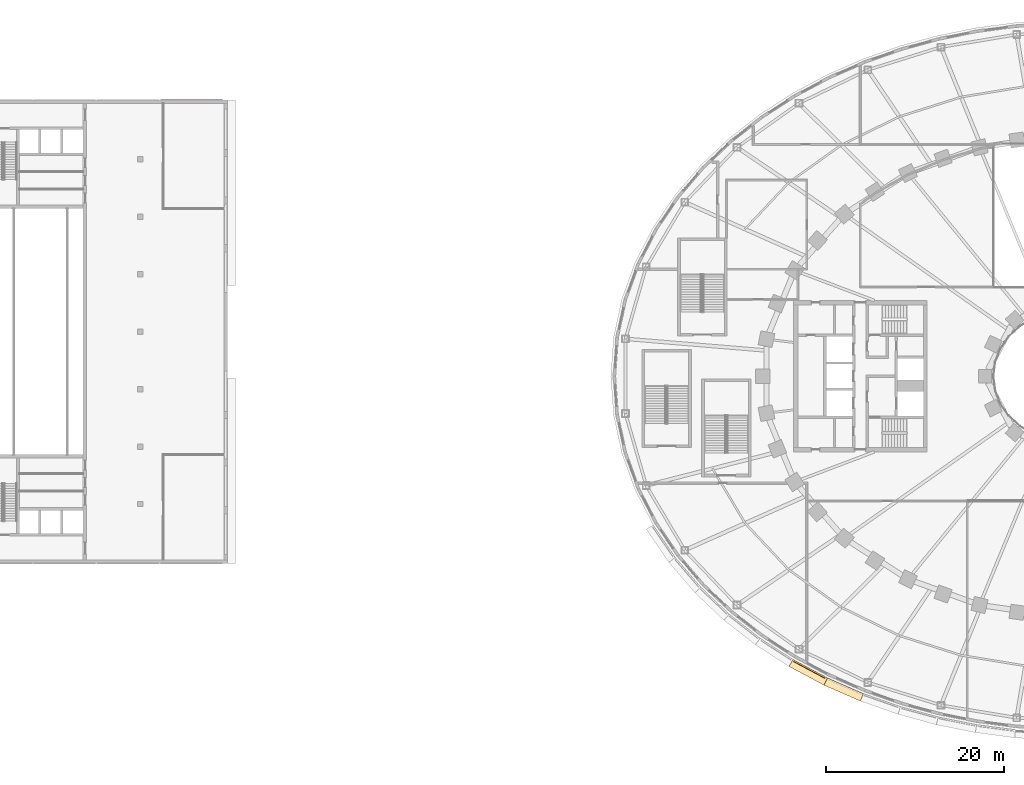
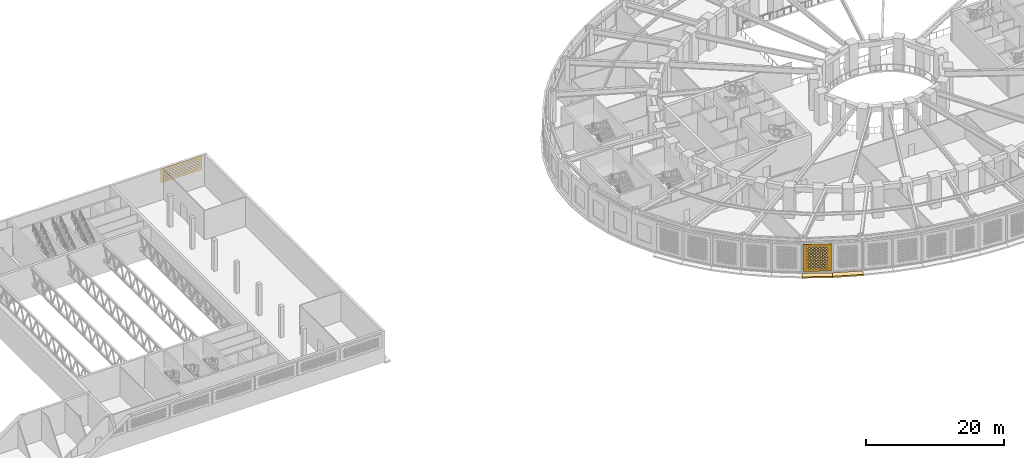
# One storey, part 45 of 69: 4 coverings.
"""IFC4 building model written with IfcOpenShell, lengths in metres."""

from ifc_helpers import new_model, si_unit, direction, frame, origin, place, context, subcontext, project, spatial, polyline, outline, extrude, material, layer, layer_set, type_object, element, save


model = new_model("IFC4")

# Units and contexts
model_context = context("Model", 3, precision=1e-05, world=origin(), true_north=direction((0.0, 1.0)))
body_context = subcontext(model_context, "Body", "Model", "MODEL_VIEW")
ifc_project = project(units=[si_unit("LENGTHUNIT", "METRE"), si_unit("AREAUNIT", "SQUARE_METRE"), si_unit("VOLUMEUNIT", "CUBIC_METRE"), si_unit("PLANEANGLEUNIT", "RADIAN"), si_unit("MASSUNIT", "GRAM", prefix="KILO")], contexts=[model_context])

# Site, building, storey
site_placement = place(None, origin())
site = spatial("IfcSite", under=ifc_project, at=site_placement, CompositionType="ELEMENT")
building_placement = place(site_placement, origin())
building = spatial("IfcBuilding", under=site, at=building_placement, Name="Noorbagh Ring Tower", CompositionType="ELEMENT")
storey_placement = place(building_placement, frame((0.0, 0.0, 19.5)))
storey = spatial("IfcBuildingStorey", under=building, at=storey_placement, Name="L03", CompositionType="ELEMENT", Elevation=19.5)

# Coverings
ifc_material_1 = material(Name="Red sandstone jali", Category="masonry")
ifc_layer_1 = layer(ifc_material_1, 0.0400390625)
ifc_layer_set_1 = layer_set([ifc_layer_1], Name="Red sandstone jali")
covering_type_1 = type_object("IfcCoveringType", Name="STH-BAND", PredefinedType="USERDEFINED", material=ifc_layer_set_1)
covering_1_placement = place(storey_placement, frame((-95.60009765625, 31.0400390625, 2.699951171875), z_axis=(0.0, 1.0, 0.0), x_axis=(-1.0, 0.0, 0.0)))
element("IfcCovering", 1, at=covering_1_placement, inside=storey, type_object=covering_type_1, Name="Jali band", ObjectType="JALI SCREEN", PredefinedType="USERDEFINED", context=body_context, shape_type="SweptSolid", body=[
    extrude(outline(polyline([(0.0, 0.0), (6.910888671875, 0.0), (6.910888671875, 2.5), (0.0, 2.5), (0.0, 0.0)]), holes=[polyline([(0.650634765625, 0.5), (0.83056640625, 0.320068359375), (1.010498046875, 0.5), (0.83056640625, 0.679931640625), (0.650634765625, 0.5)]), polyline([(1.150634765625, 0.5), (1.33056640625, 0.320068359375), (1.510498046875, 0.5), (1.33056640625, 0.679931640625), (1.150634765625, 0.5)]), polyline([(1.650634765625, 0.5), (1.83056640625, 0.320068359375), (2.010498046875, 0.5), (1.83056640625, 0.679931640625), (1.650634765625, 0.5)]), polyline([(2.150634765625, 0.5), (2.33056640625, 0.320068359375), (2.510498046875, 0.5), (2.33056640625, 0.679931640625), (2.150634765625, 0.5)]), polyline([(2.650634765625, 0.5), (2.83056640625, 0.320068359375), (3.010498046875, 0.5), (2.83056640625, 0.679931640625), (2.650634765625, 0.5)]), polyline([(3.150634765625, 0.5), (3.33056640625, 0.320068359375), (3.510498046875, 0.5), (3.33056640625, 0.679931640625), (3.150634765625, 0.5)]), polyline([(3.650634765625, 0.5), (3.83056640625, 0.320068359375), (4.010498046875, 0.5), (3.83056640625, 0.679931640625), (3.650634765625, 0.5)]), polyline([(4.150634765625, 0.5), (4.33056640625, 0.320068359375), (4.510498046875, 0.5), (4.33056640625, 0.679931640625), (4.150634765625, 0.5)]), polyline([(4.650634765625, 0.5), (4.83056640625, 0.320068359375), (5.010498046875, 0.5), (4.83056640625, 0.679931640625), (4.650634765625, 0.5)]), polyline([(5.150634765625, 0.5), (5.33056640625, 0.320068359375), (5.510498046875, 0.5), (5.33056640625, 0.679931640625), (5.150634765625, 0.5)]), polyline([(5.650634765625, 0.5), (5.83056640625, 0.320068359375), (6.010498046875, 0.5), (5.83056640625, 0.679931640625), (5.650634765625, 0.5)]), polyline([(6.150634765625, 0.5), (6.33056640625, 0.320068359375), (6.510498046875, 0.5), (6.33056640625, 0.679931640625), (6.150634765625, 0.5)]), polyline([(0.400634765625, 0.75), (0.58056640625, 0.570068359375), (0.760498046875, 0.75), (0.58056640625, 0.929931640625), (0.400634765625, 0.75)]), polyline([(0.900634765625, 0.75), (1.08056640625, 0.570068359375), (1.260498046875, 0.75), (1.08056640625, 0.929931640625), (0.900634765625, 0.75)]), polyline([(1.400634765625, 0.75), (1.58056640625, 0.570068359375), (1.760498046875, 0.75), (1.58056640625, 0.929931640625), (1.400634765625, 0.75)]), polyline([(1.900634765625, 0.75), (2.08056640625, 0.570068359375), (2.260498046875, 0.75), (2.08056640625, 0.929931640625), (1.900634765625, 0.75)]), polyline([(2.400634765625, 0.75), (2.58056640625, 0.570068359375), (2.760498046875, 0.75), (2.58056640625, 0.929931640625), (2.400634765625, 0.75)]), polyline([(2.900634765625, 0.75), (3.08056640625, 0.570068359375), (3.260498046875, 0.75), (3.08056640625, 0.929931640625), (2.900634765625, 0.75)]), polyline([(3.400634765625, 0.75), (3.58056640625, 0.570068359375), (3.760498046875, 0.75), (3.58056640625, 0.929931640625), (3.400634765625, 0.75)]), polyline([(3.900634765625, 0.75), (4.08056640625, 0.570068359375), (4.260498046875, 0.75), (4.08056640625, 0.929931640625), (3.900634765625, 0.75)]), polyline([(4.400634765625, 0.75), (4.58056640625, 0.570068359375), (4.760498046875, 0.75), (4.58056640625, 0.929931640625), (4.400634765625, 0.75)]), polyline([(4.900634765625, 0.75), (5.08056640625, 0.570068359375), (5.260498046875, 0.75), (5.08056640625, 0.929931640625), (4.900634765625, 0.75)]), polyline([(5.400634765625, 0.75), (5.58056640625, 0.570068359375), (5.760498046875, 0.75), (5.58056640625, 0.929931640625), (5.400634765625, 0.75)]), polyline([(5.900634765625, 0.75), (6.08056640625, 0.570068359375), (6.260498046875, 0.75), (6.08056640625, 0.929931640625), (5.900634765625, 0.75)]), polyline([(0.650634765625, 1.0), (0.83056640625, 0.820068359375), (1.010498046875, 1.0), (0.83056640625, 1.179931640625), (0.650634765625, 1.0)]), polyline([(1.150634765625, 1.0), (1.33056640625, 0.820068359375), (1.510498046875, 1.0), (1.33056640625, 1.179931640625), (1.150634765625, 1.0)]), polyline([(1.650634765625, 1.0), (1.83056640625, 0.820068359375), (2.010498046875, 1.0), (1.83056640625, 1.179931640625), (1.650634765625, 1.0)]), polyline([(2.150634765625, 1.0), (2.33056640625, 0.820068359375), (2.510498046875, 1.0), (2.33056640625, 1.179931640625), (2.150634765625, 1.0)]), polyline([(2.650634765625, 1.0), (2.83056640625, 0.820068359375), (3.010498046875, 1.0), (2.83056640625, 1.179931640625), (2.650634765625, 1.0)]), polyline([(3.150634765625, 1.0), (3.33056640625, 0.820068359375), (3.510498046875, 1.0), (3.33056640625, 1.179931640625), (3.150634765625, 1.0)]), polyline([(3.650634765625, 1.0), (3.83056640625, 0.820068359375), (4.010498046875, 1.0), (3.83056640625, 1.179931640625), (3.650634765625, 1.0)]), polyline([(4.150634765625, 1.0), (4.33056640625, 0.820068359375), (4.510498046875, 1.0), (4.33056640625, 1.179931640625), (4.150634765625, 1.0)]), polyline([(4.650634765625, 1.0), (4.83056640625, 0.820068359375), (5.010498046875, 1.0), (4.83056640625, 1.179931640625), (4.650634765625, 1.0)]), polyline([(5.150634765625, 1.0), (5.33056640625, 0.820068359375), (5.510498046875, 1.0), (5.33056640625, 1.179931640625), (5.150634765625, 1.0)]), polyline([(5.650634765625, 1.0), (5.83056640625, 0.820068359375), (6.010498046875, 1.0), (5.83056640625, 1.179931640625), (5.650634765625, 1.0)]), polyline([(6.150634765625, 1.0), (6.33056640625, 0.820068359375), (6.510498046875, 1.0), (6.33056640625, 1.179931640625), (6.150634765625, 1.0)]), polyline([(0.400634765625, 1.25), (0.58056640625, 1.070068359375), (0.760498046875, 1.25), (0.58056640625, 1.429931640625), (0.400634765625, 1.25)]), polyline([(0.900634765625, 1.25), (1.08056640625, 1.070068359375), (1.260498046875, 1.25), (1.08056640625, 1.429931640625), (0.900634765625, 1.25)]), polyline([(1.400634765625, 1.25), (1.58056640625, 1.070068359375), (1.760498046875, 1.25), (1.58056640625, 1.429931640625), (1.400634765625, 1.25)]), polyline([(1.900634765625, 1.25), (2.08056640625, 1.070068359375), (2.260498046875, 1.25), (2.08056640625, 1.429931640625), (1.900634765625, 1.25)]), polyline([(2.400634765625, 1.25), (2.58056640625, 1.070068359375), (2.760498046875, 1.25), (2.58056640625, 1.429931640625), (2.400634765625, 1.25)]), polyline([(2.900634765625, 1.25), (3.08056640625, 1.070068359375), (3.260498046875, 1.25), (3.08056640625, 1.429931640625), (2.900634765625, 1.25)]), polyline([(3.400634765625, 1.25), (3.58056640625, 1.070068359375), (3.760498046875, 1.25), (3.58056640625, 1.429931640625), (3.400634765625, 1.25)]), polyline([(3.900634765625, 1.25), (4.08056640625, 1.070068359375), (4.260498046875, 1.25), (4.08056640625, 1.429931640625), (3.900634765625, 1.25)]), polyline([(4.400634765625, 1.25), (4.58056640625, 1.070068359375), (4.760498046875, 1.25), (4.58056640625, 1.429931640625), (4.400634765625, 1.25)]), polyline([(4.900634765625, 1.25), (5.08056640625, 1.070068359375), (5.260498046875, 1.25), (5.08056640625, 1.429931640625), (4.900634765625, 1.25)]), polyline([(5.400634765625, 1.25), (5.58056640625, 1.070068359375), (5.760498046875, 1.25), (5.58056640625, 1.429931640625), (5.400634765625, 1.25)]), polyline([(5.900634765625, 1.25), (6.08056640625, 1.070068359375), (6.260498046875, 1.25), (6.08056640625, 1.429931640625), (5.900634765625, 1.25)]), polyline([(0.650634765625, 1.5), (0.83056640625, 1.320068359375), (1.010498046875, 1.5), (0.83056640625, 1.679931640625), (0.650634765625, 1.5)]), polyline([(1.150634765625, 1.5), (1.33056640625, 1.320068359375), (1.510498046875, 1.5), (1.33056640625, 1.679931640625), (1.150634765625, 1.5)]), polyline([(1.650634765625, 1.5), (1.83056640625, 1.320068359375), (2.010498046875, 1.5), (1.83056640625, 1.679931640625), (1.650634765625, 1.5)]), polyline([(2.150634765625, 1.5), (2.33056640625, 1.320068359375), (2.510498046875, 1.5), (2.33056640625, 1.679931640625), (2.150634765625, 1.5)]), polyline([(2.650634765625, 1.5), (2.83056640625, 1.320068359375), (3.010498046875, 1.5), (2.83056640625, 1.679931640625), (2.650634765625, 1.5)]), polyline([(3.150634765625, 1.5), (3.33056640625, 1.320068359375), (3.510498046875, 1.5), (3.33056640625, 1.679931640625), (3.150634765625, 1.5)]), polyline([(3.650634765625, 1.5), (3.83056640625, 1.320068359375), (4.010498046875, 1.5), (3.83056640625, 1.679931640625), (3.650634765625, 1.5)]), polyline([(4.150634765625, 1.5), (4.33056640625, 1.320068359375), (4.510498046875, 1.5), (4.33056640625, 1.679931640625), (4.150634765625, 1.5)]), polyline([(4.650634765625, 1.5), (4.83056640625, 1.320068359375), (5.010498046875, 1.5), (4.83056640625, 1.679931640625), (4.650634765625, 1.5)]), polyline([(5.150634765625, 1.5), (5.33056640625, 1.320068359375), (5.510498046875, 1.5), (5.33056640625, 1.679931640625), (5.150634765625, 1.5)]), polyline([(5.650634765625, 1.5), (5.83056640625, 1.320068359375), (6.010498046875, 1.5), (5.83056640625, 1.679931640625), (5.650634765625, 1.5)]), polyline([(6.150634765625, 1.5), (6.33056640625, 1.320068359375), (6.510498046875, 1.5), (6.33056640625, 1.679931640625), (6.150634765625, 1.5)]), polyline([(0.400634765625, 1.75), (0.58056640625, 1.570068359375), (0.760498046875, 1.75), (0.58056640625, 1.929931640625), (0.400634765625, 1.75)]), polyline([(0.900634765625, 1.75), (1.08056640625, 1.570068359375), (1.260498046875, 1.75), (1.08056640625, 1.929931640625), (0.900634765625, 1.75)]), polyline([(1.400634765625, 1.75), (1.58056640625, 1.570068359375), (1.760498046875, 1.75), (1.58056640625, 1.929931640625), (1.400634765625, 1.75)]), polyline([(1.900634765625, 1.75), (2.08056640625, 1.570068359375), (2.260498046875, 1.75), (2.08056640625, 1.929931640625), (1.900634765625, 1.75)]), polyline([(2.400634765625, 1.75), (2.58056640625, 1.570068359375), (2.760498046875, 1.75), (2.58056640625, 1.929931640625), (2.400634765625, 1.75)]), polyline([(2.900634765625, 1.75), (3.08056640625, 1.570068359375), (3.260498046875, 1.75), (3.08056640625, 1.929931640625), (2.900634765625, 1.75)]), polyline([(3.400634765625, 1.75), (3.58056640625, 1.570068359375), (3.760498046875, 1.75), (3.58056640625, 1.929931640625), (3.400634765625, 1.75)]), polyline([(3.900634765625, 1.75), (4.08056640625, 1.570068359375), (4.260498046875, 1.75), (4.08056640625, 1.929931640625), (3.900634765625, 1.75)]), polyline([(4.400634765625, 1.75), (4.58056640625, 1.570068359375), (4.760498046875, 1.75), (4.58056640625, 1.929931640625), (4.400634765625, 1.75)]), polyline([(4.900634765625, 1.75), (5.08056640625, 1.570068359375), (5.260498046875, 1.75), (5.08056640625, 1.929931640625), (4.900634765625, 1.75)]), polyline([(5.400634765625, 1.75), (5.58056640625, 1.570068359375), (5.760498046875, 1.75), (5.58056640625, 1.929931640625), (5.400634765625, 1.75)]), polyline([(5.900634765625, 1.75), (6.08056640625, 1.570068359375), (6.260498046875, 1.75), (6.08056640625, 1.929931640625), (5.900634765625, 1.75)]), polyline([(0.650634765625, 2.0), (0.83056640625, 1.820068359375), (1.010498046875, 2.0), (0.83056640625, 2.179931640625), (0.650634765625, 2.0)]), polyline([(1.150634765625, 2.0), (1.33056640625, 1.820068359375), (1.510498046875, 2.0), (1.33056640625, 2.179931640625), (1.150634765625, 2.0)]), polyline([(1.650634765625, 2.0), (1.83056640625, 1.820068359375), (2.010498046875, 2.0), (1.83056640625, 2.179931640625), (1.650634765625, 2.0)]), polyline([(2.150634765625, 2.0), (2.33056640625, 1.820068359375), (2.510498046875, 2.0), (2.33056640625, 2.179931640625), (2.150634765625, 2.0)]), polyline([(2.650634765625, 2.0), (2.83056640625, 1.820068359375), (3.010498046875, 2.0), (2.83056640625, 2.179931640625), (2.650634765625, 2.0)]), polyline([(3.150634765625, 2.0), (3.33056640625, 1.820068359375), (3.510498046875, 2.0), (3.33056640625, 2.179931640625), (3.150634765625, 2.0)]), polyline([(3.650634765625, 2.0), (3.83056640625, 1.820068359375), (4.010498046875, 2.0), (3.83056640625, 2.179931640625), (3.650634765625, 2.0)]), polyline([(4.150634765625, 2.0), (4.33056640625, 1.820068359375), (4.510498046875, 2.0), (4.33056640625, 2.179931640625), (4.150634765625, 2.0)]), polyline([(4.650634765625, 2.0), (4.83056640625, 1.820068359375), (5.010498046875, 2.0), (4.83056640625, 2.179931640625), (4.650634765625, 2.0)]), polyline([(5.150634765625, 2.0), (5.33056640625, 1.820068359375), (5.510498046875, 2.0), (5.33056640625, 2.179931640625), (5.150634765625, 2.0)]), polyline([(5.650634765625, 2.0), (5.83056640625, 1.820068359375), (6.010498046875, 2.0), (5.83056640625, 2.179931640625), (5.650634765625, 2.0)]), polyline([(6.150634765625, 2.0), (6.33056640625, 1.820068359375), (6.510498046875, 2.0), (6.33056640625, 2.179931640625), (6.150634765625, 2.0)])]), origin(), (0.0, 0.0, -1.0), 0.0400390625),
])
ifc_material_2 = material(Name="Red sandstone eave", Category="masonry")
covering_type_2 = type_object("IfcCoveringType", Name="STY-CHHAJJA", PredefinedType="USERDEFINED", material=ifc_material_2)
covering_2_placement = place(storey_placement, frame((0.0, 0.0, -0.25)))
element("IfcCovering", 2, at=covering_2_placement, inside=storey, type_object=covering_type_2, Name="Chhajja eave", ObjectType="CHHAJJA", PredefinedType="USERDEFINED", context=body_context, shape_type="SweptSolid", body=[
    extrude(outline(polyline([(-31.5546875, -31.793701171875), (-27.67578125, -33.864013671875), (-28.068603515625, -34.674560546875), (-32.011474609375, -32.56982421875), (-31.5546875, -31.793701171875)])), origin(), (0.0, 0.0, 1.0), 0.25),
])
covering_3_placement = place(storey_placement, frame((0.0, 0.0, -0.25)))
element("IfcCovering", 3, at=covering_3_placement, inside=storey, type_object=covering_type_2, Name="Chhajja eave", ObjectType="CHHAJJA", PredefinedType="USERDEFINED", context=body_context, shape_type="SweptSolid", body=[
    extrude(outline(polyline([(-27.67578125, -33.864013671875), (-23.647216796875, -35.624755859375), (-23.976806640625, -36.462890625), (-28.068603515625, -34.674560546875), (-27.67578125, -33.864013671875)])), origin(), (0.0, 0.0, 1.0), 0.25),
])
ifc_material_3 = material(Name="Red sandstone jali", Category="masonry")
ifc_layer_2 = layer(ifc_material_3, 0.0400390625)
ifc_layer_set_2 = layer_set([ifc_layer_2], Name="Red sandstone jali")
covering_type_3 = type_object("IfcCoveringType", Name="STY-JALI", PredefinedType="USERDEFINED", material=ifc_layer_set_2)
covering_4_placement = place(storey_placement, frame((-31.51171875, -32.031982421875, 0.449951171875), z_axis=(-0.470869695201, -0.882202771556, 0.0), x_axis=(0.882202771556, -0.470869695201, 0.0)))
element("IfcCovering", 4, at=covering_4_placement, inside=storey, type_object=covering_type_3, Name="Jali screen", ObjectType="SCREEN", PredefinedType="USERDEFINED", context=body_context, shape_type="SweptSolid", body=[
    extrude(outline(polyline([(0.0, 0.0), (4.0966796875, 0.0), (4.0966796875, 4.800048828125), (0.0, 4.800048828125), (0.0, 0.0)]), holes=[polyline([(0.743408203125, 0.52490234375), (0.92333984375, 0.344970703125), (1.103271484375, 0.52490234375), (0.92333984375, 0.705078125), (0.743408203125, 0.52490234375)]), polyline([(1.243408203125, 0.52490234375), (1.42333984375, 0.344970703125), (1.603271484375, 0.52490234375), (1.42333984375, 0.705078125), (1.243408203125, 0.52490234375)]), polyline([(1.743408203125, 0.52490234375), (1.92333984375, 0.344970703125), (2.103271484375, 0.52490234375), (1.92333984375, 0.705078125), (1.743408203125, 0.52490234375)]), polyline([(2.243408203125, 0.52490234375), (2.42333984375, 0.344970703125), (2.603271484375, 0.52490234375), (2.42333984375, 0.705078125), (2.243408203125, 0.52490234375)]), polyline([(2.743408203125, 0.52490234375), (2.92333984375, 0.344970703125), (3.103271484375, 0.52490234375), (2.92333984375, 0.705078125), (2.743408203125, 0.52490234375)]), polyline([(3.243408203125, 0.52490234375), (3.42333984375, 0.344970703125), (3.603271484375, 0.52490234375), (3.42333984375, 0.705078125), (3.243408203125, 0.52490234375)]), polyline([(0.493408203125, 0.77490234375), (0.67333984375, 0.594970703125), (0.853271484375, 0.77490234375), (0.67333984375, 0.955078125), (0.493408203125, 0.77490234375)]), polyline([(0.993408203125, 0.77490234375), (1.17333984375, 0.594970703125), (1.353271484375, 0.77490234375), (1.17333984375, 0.955078125), (0.993408203125, 0.77490234375)]), polyline([(1.493408203125, 0.77490234375), (1.67333984375, 0.594970703125), (1.853271484375, 0.77490234375), (1.67333984375, 0.955078125), (1.493408203125, 0.77490234375)]), polyline([(1.993408203125, 0.77490234375), (2.17333984375, 0.594970703125), (2.353271484375, 0.77490234375), (2.17333984375, 0.955078125), (1.993408203125, 0.77490234375)]), polyline([(2.493408203125, 0.77490234375), (2.67333984375, 0.594970703125), (2.853271484375, 0.77490234375), (2.67333984375, 0.955078125), (2.493408203125, 0.77490234375)]), polyline([(2.993408203125, 0.77490234375), (3.17333984375, 0.594970703125), (3.353271484375, 0.77490234375), (3.17333984375, 0.955078125), (2.993408203125, 0.77490234375)]), polyline([(0.743408203125, 1.02490234375), (0.92333984375, 0.844970703125), (1.103271484375, 1.02490234375), (0.92333984375, 1.205078125), (0.743408203125, 1.02490234375)]), polyline([(1.243408203125, 1.02490234375), (1.42333984375, 0.844970703125), (1.603271484375, 1.02490234375), (1.42333984375, 1.205078125), (1.243408203125, 1.02490234375)]), polyline([(1.743408203125, 1.02490234375), (1.92333984375, 0.844970703125), (2.103271484375, 1.02490234375), (1.92333984375, 1.205078125), (1.743408203125, 1.02490234375)]), polyline([(2.243408203125, 1.02490234375), (2.42333984375, 0.844970703125), (2.603271484375, 1.02490234375), (2.42333984375, 1.205078125), (2.243408203125, 1.02490234375)]), polyline([(2.743408203125, 1.02490234375), (2.92333984375, 0.844970703125), (3.103271484375, 1.02490234375), (2.92333984375, 1.205078125), (2.743408203125, 1.02490234375)]), polyline([(3.243408203125, 1.02490234375), (3.42333984375, 0.844970703125), (3.603271484375, 1.02490234375), (3.42333984375, 1.205078125), (3.243408203125, 1.02490234375)]), polyline([(0.493408203125, 1.27490234375), (0.67333984375, 1.094970703125), (0.853271484375, 1.27490234375), (0.67333984375, 1.455078125), (0.493408203125, 1.27490234375)]), polyline([(0.993408203125, 1.27490234375), (1.17333984375, 1.094970703125), (1.353271484375, 1.27490234375), (1.17333984375, 1.455078125), (0.993408203125, 1.27490234375)]), polyline([(1.493408203125, 1.27490234375), (1.67333984375, 1.094970703125), (1.853271484375, 1.27490234375), (1.67333984375, 1.455078125), (1.493408203125, 1.27490234375)]), polyline([(1.993408203125, 1.27490234375), (2.17333984375, 1.094970703125), (2.353271484375, 1.27490234375), (2.17333984375, 1.455078125), (1.993408203125, 1.27490234375)]), polyline([(2.493408203125, 1.27490234375), (2.67333984375, 1.094970703125), (2.853271484375, 1.27490234375), (2.67333984375, 1.455078125), (2.493408203125, 1.27490234375)]), polyline([(2.993408203125, 1.27490234375), (3.17333984375, 1.094970703125), (3.353271484375, 1.27490234375), (3.17333984375, 1.455078125), (2.993408203125, 1.27490234375)]), polyline([(0.743408203125, 1.52490234375), (0.92333984375, 1.344970703125), (1.103271484375, 1.52490234375), (0.92333984375, 1.705078125), (0.743408203125, 1.52490234375)]), polyline([(1.243408203125, 1.52490234375), (1.42333984375, 1.344970703125), (1.603271484375, 1.52490234375), (1.42333984375, 1.705078125), (1.243408203125, 1.52490234375)]), polyline([(1.743408203125, 1.52490234375), (1.92333984375, 1.344970703125), (2.103271484375, 1.52490234375), (1.92333984375, 1.705078125), (1.743408203125, 1.52490234375)]), polyline([(2.243408203125, 1.52490234375), (2.42333984375, 1.344970703125), (2.603271484375, 1.52490234375), (2.42333984375, 1.705078125), (2.243408203125, 1.52490234375)]), polyline([(2.743408203125, 1.52490234375), (2.92333984375, 1.344970703125), (3.103271484375, 1.52490234375), (2.92333984375, 1.705078125), (2.743408203125, 1.52490234375)]), polyline([(3.243408203125, 1.52490234375), (3.42333984375, 1.344970703125), (3.603271484375, 1.52490234375), (3.42333984375, 1.705078125), (3.243408203125, 1.52490234375)]), polyline([(0.493408203125, 1.77490234375), (0.67333984375, 1.594970703125), (0.853271484375, 1.77490234375), (0.67333984375, 1.955078125), (0.493408203125, 1.77490234375)]), polyline([(0.993408203125, 1.77490234375), (1.17333984375, 1.594970703125), (1.353271484375, 1.77490234375), (1.17333984375, 1.955078125), (0.993408203125, 1.77490234375)]), polyline([(1.493408203125, 1.77490234375), (1.67333984375, 1.594970703125), (1.853271484375, 1.77490234375), (1.67333984375, 1.955078125), (1.493408203125, 1.77490234375)]), polyline([(1.993408203125, 1.77490234375), (2.17333984375, 1.594970703125), (2.353271484375, 1.77490234375), (2.17333984375, 1.955078125), (1.993408203125, 1.77490234375)]), polyline([(2.493408203125, 1.77490234375), (2.67333984375, 1.594970703125), (2.853271484375, 1.77490234375), (2.67333984375, 1.955078125), (2.493408203125, 1.77490234375)]), polyline([(2.993408203125, 1.77490234375), (3.17333984375, 1.594970703125), (3.353271484375, 1.77490234375), (3.17333984375, 1.955078125), (2.993408203125, 1.77490234375)]), polyline([(0.743408203125, 2.02490234375), (0.92333984375, 1.844970703125), (1.103271484375, 2.02490234375), (0.92333984375, 2.205078125), (0.743408203125, 2.02490234375)]), polyline([(1.243408203125, 2.02490234375), (1.42333984375, 1.844970703125), (1.603271484375, 2.02490234375), (1.42333984375, 2.205078125), (1.243408203125, 2.02490234375)]), polyline([(1.743408203125, 2.02490234375), (1.92333984375, 1.844970703125), (2.103271484375, 2.02490234375), (1.92333984375, 2.205078125), (1.743408203125, 2.02490234375)]), polyline([(2.243408203125, 2.02490234375), (2.42333984375, 1.844970703125), (2.603271484375, 2.02490234375), (2.42333984375, 2.205078125), (2.243408203125, 2.02490234375)]), polyline([(2.743408203125, 2.02490234375), (2.92333984375, 1.844970703125), (3.103271484375, 2.02490234375), (2.92333984375, 2.205078125), (2.743408203125, 2.02490234375)]), polyline([(3.243408203125, 2.02490234375), (3.42333984375, 1.844970703125), (3.603271484375, 2.02490234375), (3.42333984375, 2.205078125), (3.243408203125, 2.02490234375)]), polyline([(0.493408203125, 2.27490234375), (0.67333984375, 2.094970703125), (0.853271484375, 2.27490234375), (0.67333984375, 2.455078125), (0.493408203125, 2.27490234375)]), polyline([(0.993408203125, 2.27490234375), (1.17333984375, 2.094970703125), (1.353271484375, 2.27490234375), (1.17333984375, 2.455078125), (0.993408203125, 2.27490234375)]), polyline([(1.493408203125, 2.27490234375), (1.67333984375, 2.094970703125), (1.853271484375, 2.27490234375), (1.67333984375, 2.455078125), (1.493408203125, 2.27490234375)]), polyline([(1.993408203125, 2.27490234375), (2.17333984375, 2.094970703125), (2.353271484375, 2.27490234375), (2.17333984375, 2.455078125), (1.993408203125, 2.27490234375)]), polyline([(2.493408203125, 2.27490234375), (2.67333984375, 2.094970703125), (2.853271484375, 2.27490234375), (2.67333984375, 2.455078125), (2.493408203125, 2.27490234375)]), polyline([(2.993408203125, 2.27490234375), (3.17333984375, 2.094970703125), (3.353271484375, 2.27490234375), (3.17333984375, 2.455078125), (2.993408203125, 2.27490234375)]), polyline([(0.743408203125, 2.52490234375), (0.92333984375, 2.344970703125), (1.103271484375, 2.52490234375), (0.92333984375, 2.705078125), (0.743408203125, 2.52490234375)]), polyline([(1.243408203125, 2.52490234375), (1.42333984375, 2.344970703125), (1.603271484375, 2.52490234375), (1.42333984375, 2.705078125), (1.243408203125, 2.52490234375)]), polyline([(1.743408203125, 2.52490234375), (1.92333984375, 2.344970703125), (2.103271484375, 2.52490234375), (1.92333984375, 2.705078125), (1.743408203125, 2.52490234375)]), polyline([(2.243408203125, 2.52490234375), (2.42333984375, 2.344970703125), (2.603271484375, 2.52490234375), (2.42333984375, 2.705078125), (2.243408203125, 2.52490234375)]), polyline([(2.743408203125, 2.52490234375), (2.92333984375, 2.344970703125), (3.103271484375, 2.52490234375), (2.92333984375, 2.705078125), (2.743408203125, 2.52490234375)]), polyline([(3.243408203125, 2.52490234375), (3.42333984375, 2.344970703125), (3.603271484375, 2.52490234375), (3.42333984375, 2.705078125), (3.243408203125, 2.52490234375)]), polyline([(0.493408203125, 2.77490234375), (0.67333984375, 2.594970703125), (0.853271484375, 2.77490234375), (0.67333984375, 2.955078125), (0.493408203125, 2.77490234375)]), polyline([(0.993408203125, 2.77490234375), (1.17333984375, 2.594970703125), (1.353271484375, 2.77490234375), (1.17333984375, 2.955078125), (0.993408203125, 2.77490234375)]), polyline([(1.493408203125, 2.77490234375), (1.67333984375, 2.594970703125), (1.853271484375, 2.77490234375), (1.67333984375, 2.955078125), (1.493408203125, 2.77490234375)]), polyline([(1.993408203125, 2.77490234375), (2.17333984375, 2.594970703125), (2.353271484375, 2.77490234375), (2.17333984375, 2.955078125), (1.993408203125, 2.77490234375)]), polyline([(2.493408203125, 2.77490234375), (2.67333984375, 2.594970703125), (2.853271484375, 2.77490234375), (2.67333984375, 2.955078125), (2.493408203125, 2.77490234375)]), polyline([(2.993408203125, 2.77490234375), (3.17333984375, 2.594970703125), (3.353271484375, 2.77490234375), (3.17333984375, 2.955078125), (2.993408203125, 2.77490234375)]), polyline([(0.743408203125, 3.02490234375), (0.92333984375, 2.844970703125), (1.103271484375, 3.02490234375), (0.92333984375, 3.205078125), (0.743408203125, 3.02490234375)]), polyline([(1.243408203125, 3.02490234375), (1.42333984375, 2.844970703125), (1.603271484375, 3.02490234375), (1.42333984375, 3.205078125), (1.243408203125, 3.02490234375)]), polyline([(1.743408203125, 3.02490234375), (1.92333984375, 2.844970703125), (2.103271484375, 3.02490234375), (1.92333984375, 3.205078125), (1.743408203125, 3.02490234375)]), polyline([(2.243408203125, 3.02490234375), (2.42333984375, 2.844970703125), (2.603271484375, 3.02490234375), (2.42333984375, 3.205078125), (2.243408203125, 3.02490234375)]), polyline([(2.743408203125, 3.02490234375), (2.92333984375, 2.844970703125), (3.103271484375, 3.02490234375), (2.92333984375, 3.205078125), (2.743408203125, 3.02490234375)]), polyline([(3.243408203125, 3.02490234375), (3.42333984375, 2.844970703125), (3.603271484375, 3.02490234375), (3.42333984375, 3.205078125), (3.243408203125, 3.02490234375)]), polyline([(0.493408203125, 3.27490234375), (0.67333984375, 3.094970703125), (0.853271484375, 3.27490234375), (0.67333984375, 3.455078125), (0.493408203125, 3.27490234375)]), polyline([(0.993408203125, 3.27490234375), (1.17333984375, 3.094970703125), (1.353271484375, 3.27490234375), (1.17333984375, 3.455078125), (0.993408203125, 3.27490234375)]), polyline([(1.493408203125, 3.27490234375), (1.67333984375, 3.094970703125), (1.853271484375, 3.27490234375), (1.67333984375, 3.455078125), (1.493408203125, 3.27490234375)]), polyline([(1.993408203125, 3.27490234375), (2.17333984375, 3.094970703125), (2.353271484375, 3.27490234375), (2.17333984375, 3.455078125), (1.993408203125, 3.27490234375)]), polyline([(2.493408203125, 3.27490234375), (2.67333984375, 3.094970703125), (2.853271484375, 3.27490234375), (2.67333984375, 3.455078125), (2.493408203125, 3.27490234375)]), polyline([(2.993408203125, 3.27490234375), (3.17333984375, 3.094970703125), (3.353271484375, 3.27490234375), (3.17333984375, 3.455078125), (2.993408203125, 3.27490234375)]), polyline([(0.743408203125, 3.52490234375), (0.92333984375, 3.344970703125), (1.103271484375, 3.52490234375), (0.92333984375, 3.705078125), (0.743408203125, 3.52490234375)]), polyline([(1.243408203125, 3.52490234375), (1.42333984375, 3.344970703125), (1.603271484375, 3.52490234375), (1.42333984375, 3.705078125), (1.243408203125, 3.52490234375)]), polyline([(1.743408203125, 3.52490234375), (1.92333984375, 3.344970703125), (2.103271484375, 3.52490234375), (1.92333984375, 3.705078125), (1.743408203125, 3.52490234375)]), polyline([(2.243408203125, 3.52490234375), (2.42333984375, 3.344970703125), (2.603271484375, 3.52490234375), (2.42333984375, 3.705078125), (2.243408203125, 3.52490234375)]), polyline([(2.743408203125, 3.52490234375), (2.92333984375, 3.344970703125), (3.103271484375, 3.52490234375), (2.92333984375, 3.705078125), (2.743408203125, 3.52490234375)]), polyline([(3.243408203125, 3.52490234375), (3.42333984375, 3.344970703125), (3.603271484375, 3.52490234375), (3.42333984375, 3.705078125), (3.243408203125, 3.52490234375)]), polyline([(0.493408203125, 3.77490234375), (0.67333984375, 3.594970703125), (0.853271484375, 3.77490234375), (0.67333984375, 3.955078125), (0.493408203125, 3.77490234375)]), polyline([(0.993408203125, 3.77490234375), (1.17333984375, 3.594970703125), (1.353271484375, 3.77490234375), (1.17333984375, 3.955078125), (0.993408203125, 3.77490234375)]), polyline([(1.493408203125, 3.77490234375), (1.67333984375, 3.594970703125), (1.853271484375, 3.77490234375), (1.67333984375, 3.955078125), (1.493408203125, 3.77490234375)]), polyline([(1.993408203125, 3.77490234375), (2.17333984375, 3.594970703125), (2.353271484375, 3.77490234375), (2.17333984375, 3.955078125), (1.993408203125, 3.77490234375)]), polyline([(2.493408203125, 3.77490234375), (2.67333984375, 3.594970703125), (2.853271484375, 3.77490234375), (2.67333984375, 3.955078125), (2.493408203125, 3.77490234375)]), polyline([(2.993408203125, 3.77490234375), (3.17333984375, 3.594970703125), (3.353271484375, 3.77490234375), (3.17333984375, 3.955078125), (2.993408203125, 3.77490234375)]), polyline([(0.743408203125, 4.02490234375), (0.92333984375, 3.844970703125), (1.103271484375, 4.02490234375), (0.92333984375, 4.205078125), (0.743408203125, 4.02490234375)]), polyline([(1.243408203125, 4.02490234375), (1.42333984375, 3.844970703125), (1.603271484375, 4.02490234375), (1.42333984375, 4.205078125), (1.243408203125, 4.02490234375)]), polyline([(1.743408203125, 4.02490234375), (1.92333984375, 3.844970703125), (2.103271484375, 4.02490234375), (1.92333984375, 4.205078125), (1.743408203125, 4.02490234375)]), polyline([(2.243408203125, 4.02490234375), (2.42333984375, 3.844970703125), (2.603271484375, 4.02490234375), (2.42333984375, 4.205078125), (2.243408203125, 4.02490234375)]), polyline([(2.743408203125, 4.02490234375), (2.92333984375, 3.844970703125), (3.103271484375, 4.02490234375), (2.92333984375, 4.205078125), (2.743408203125, 4.02490234375)]), polyline([(3.243408203125, 4.02490234375), (3.42333984375, 3.844970703125), (3.603271484375, 4.02490234375), (3.42333984375, 4.205078125), (3.243408203125, 4.02490234375)]), polyline([(0.493408203125, 4.27490234375), (0.67333984375, 4.094970703125), (0.853271484375, 4.27490234375), (0.67333984375, 4.455078125), (0.493408203125, 4.27490234375)]), polyline([(0.993408203125, 4.27490234375), (1.17333984375, 4.094970703125), (1.353271484375, 4.27490234375), (1.17333984375, 4.455078125), (0.993408203125, 4.27490234375)]), polyline([(1.493408203125, 4.27490234375), (1.67333984375, 4.094970703125), (1.853271484375, 4.27490234375), (1.67333984375, 4.455078125), (1.493408203125, 4.27490234375)]), polyline([(1.993408203125, 4.27490234375), (2.17333984375, 4.094970703125), (2.353271484375, 4.27490234375), (2.17333984375, 4.455078125), (1.993408203125, 4.27490234375)]), polyline([(2.493408203125, 4.27490234375), (2.67333984375, 4.094970703125), (2.853271484375, 4.27490234375), (2.67333984375, 4.455078125), (2.493408203125, 4.27490234375)]), polyline([(2.993408203125, 4.27490234375), (3.17333984375, 4.094970703125), (3.353271484375, 4.27490234375), (3.17333984375, 4.455078125), (2.993408203125, 4.27490234375)])]), origin(), (0.0, 0.0, -1.0), 0.0400390625),
])

save(model, "model.ifc")
